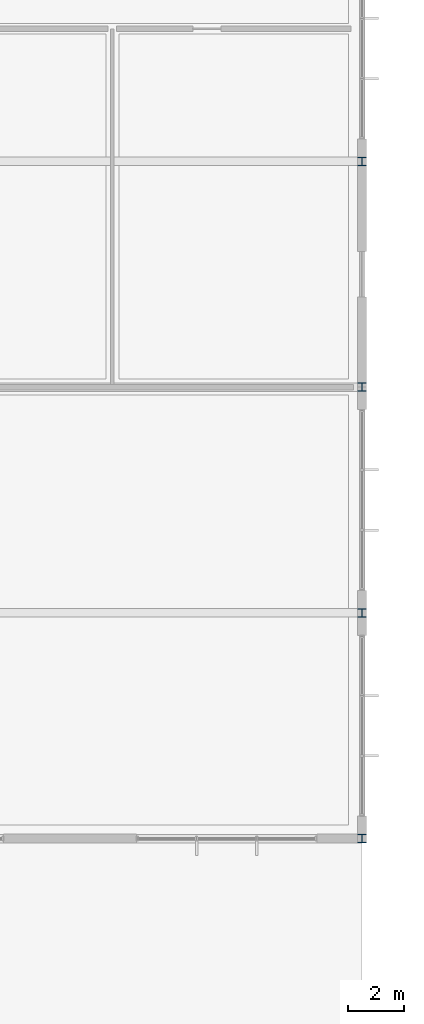
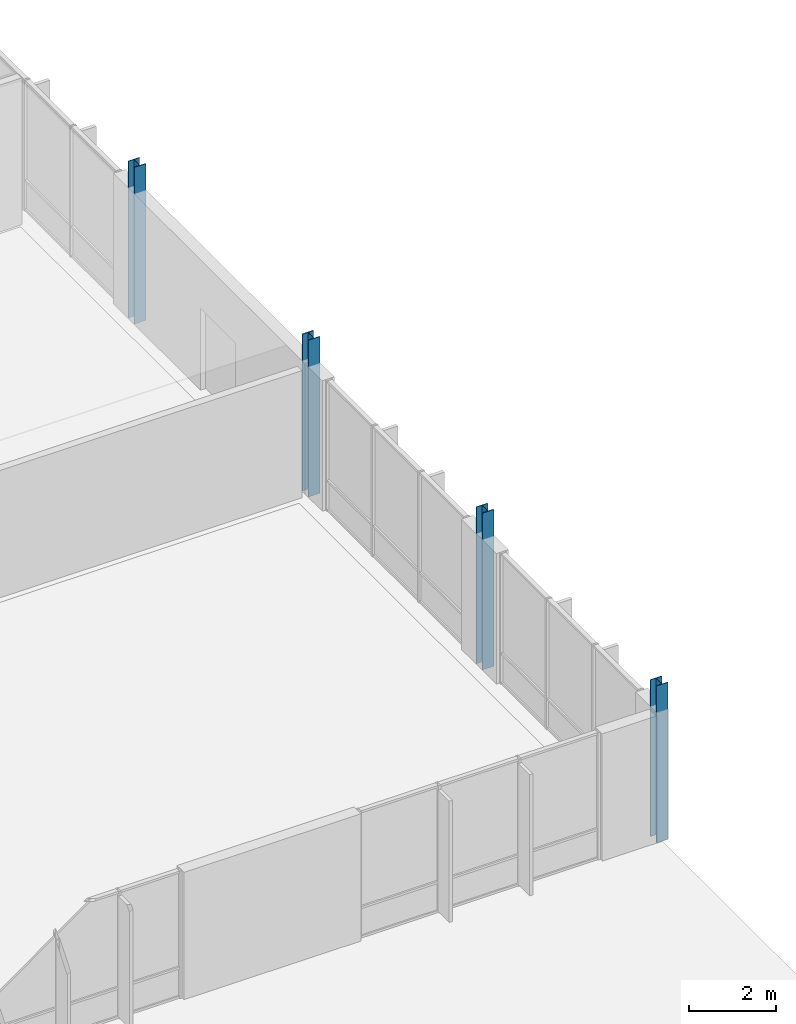
# One storey, part 15 of 233: 4 columns.
"""IFC4 building model written with IfcOpenShell, lengths in metres."""

from ifc_helpers import new_model, si_unit, direction, frame, origin, origin_2d, place, context, subcontext, project, spatial, i_section, extrude, material, material_profile, profile_set, type_object, element, save


model = new_model("IFC4")

# Units and contexts
model_context = context("Model", 3, precision=1e-05, world=origin(), true_north=direction((0.0, 1.0)))
body_context = subcontext(model_context, "Body", "Model", "MODEL_VIEW")
ifc_project = project(units=[si_unit("LENGTHUNIT", "METRE"), si_unit("AREAUNIT", "SQUARE_METRE"), si_unit("VOLUMEUNIT", "CUBIC_METRE"), si_unit("PLANEANGLEUNIT", "RADIAN"), si_unit("MASSUNIT", "GRAM", prefix="KILO")], contexts=[model_context])

# Site, building, storey
site_placement = place(None, origin())
site = spatial("IfcSite", under=ifc_project, at=site_placement, CompositionType="ELEMENT")
building_placement = place(site_placement, origin())
building = spatial("IfcBuilding", under=site, at=building_placement, Name="Zavelmont Quarter", CompositionType="ELEMENT")
storey_placement = place(building_placement, origin())
storey = spatial("IfcBuildingStorey", under=building, at=storey_placement, Name="L00", CompositionType="ELEMENT", Elevation=0.0)

# Columns
ifc_material = material(Name="Steel S355", Category="steel")
ifc_material_profile = material_profile(ifc_material, i_section(OverallWidth=0.300048828125, OverallDepth=0.300048828125, WebThickness=0.010986328125, FlangeThickness=0.01904296875, at=origin_2d()), Name="HEB 300")
ifc_profile_set = profile_set([ifc_material_profile], Name="Steel S355")
column_type = type_object("IfcColumnType", Name="CL10", PredefinedType="COLUMN", material=ifc_profile_set)
for number, where, z_axis, x_axis, name in (
    (1, (168.0, 38.0, 0.0), (0.0, 0.0, 1.0), (1.0, 0.0, 0.0), "L00 column CL10 at 25/G"),
    (2, (168.0, 46.0, 0.0), (0.0, 0.0, 1.0), (1.0, 0.0, 0.0), "L00 column CL10 at 25/H"),
    (3, (168.0, 54.0, 0.0), (0.0, 0.0, 1.0), (1.0, 0.0, 0.0), "L00 column CL10 at 25/J"),
    (4, (168.0, 62.0, 0.0), (0.0, 0.0, 1.0), (1.0, 0.0, 0.0), "L00 column CL10 at 25/K"),
):
    element("IfcColumn", number, at=place(storey_placement, frame(where, z_axis=z_axis, x_axis=x_axis)), inside=storey, type_object=column_type, Name=name, PredefinedType="COLUMN", context=body_context, shape_type="SweptSolid", body=[
        extrude(i_section(OverallWidth=0.300048828125, OverallDepth=0.300048828125, WebThickness=0.010986328125, FlangeThickness=0.01904296875, at=origin_2d()), origin(), (0.0, 0.0, 1.0), 4.39990234375),
    ])

save(model, "model.ifc")
